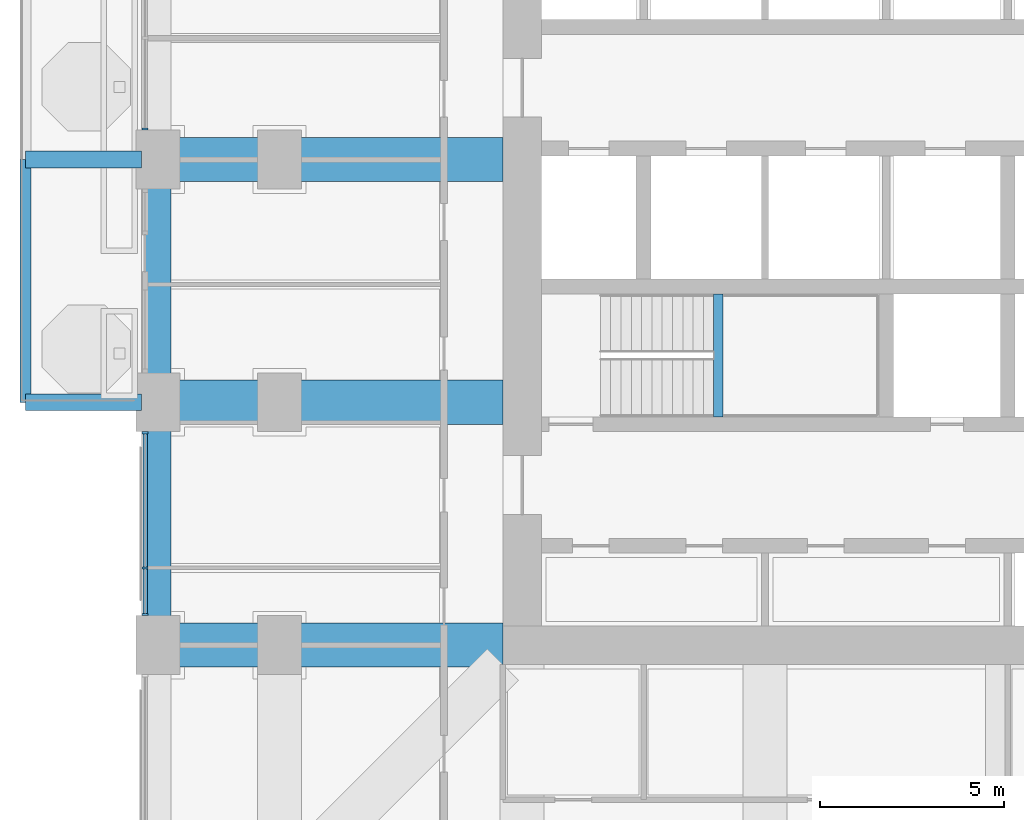
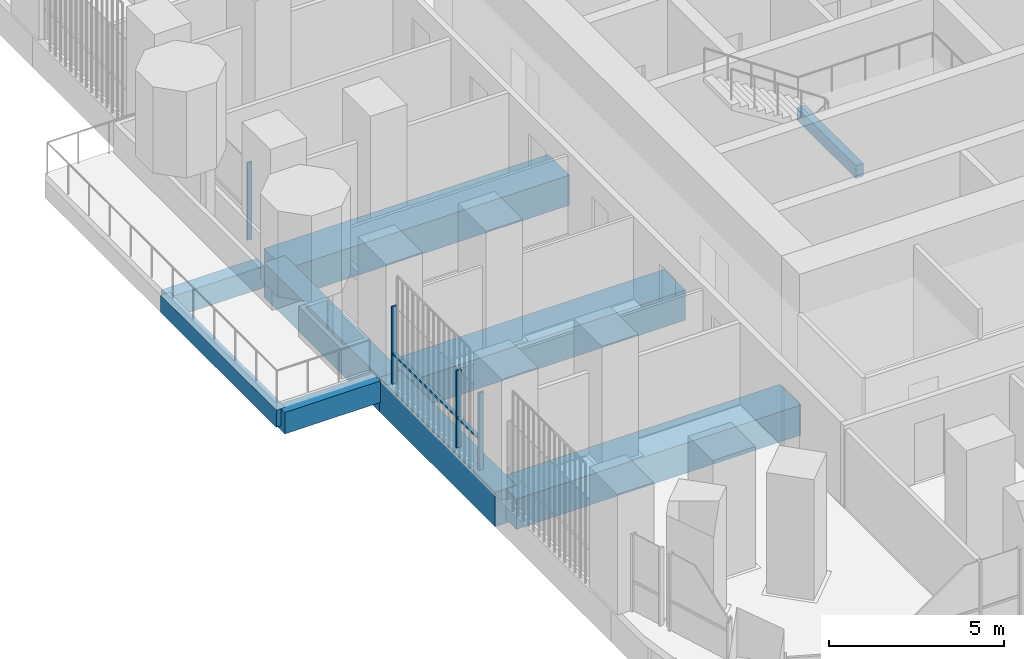
# One storey, part 4 of 21: 9 beams, 6 members, 2 elements without a shape of their own.
"""IFC4 building model written with IfcOpenShell, lengths in metres."""

from ifc_helpers import new_model, si_unit, direction, frame, origin, origin_2d, place, context, subcontext, project, spatial, rectangle, extrude, material, material_profile, profile_set, type_object, element, aggregate, save


model = new_model("IFC4")

# Units and contexts
model_context = context("Model", 3, precision=1e-05, world=origin(), true_north=direction((0.0, 1.0)))
body_context = subcontext(model_context, "Body", "Model", "MODEL_VIEW")
ifc_project = project(units=[si_unit("LENGTHUNIT", "METRE"), si_unit("AREAUNIT", "SQUARE_METRE"), si_unit("VOLUMEUNIT", "CUBIC_METRE"), si_unit("PLANEANGLEUNIT", "RADIAN"), si_unit("MASSUNIT", "GRAM", prefix="KILO")], contexts=[model_context])

# Site, building, storey
site_placement = place(None, origin())
site = spatial("IfcSite", under=ifc_project, at=site_placement, CompositionType="ELEMENT")
building_placement = place(site_placement, origin())
building = spatial("IfcBuilding", under=site, at=building_placement, Name="Cobogo Forest Laboratory Tower", CompositionType="ELEMENT")
storey_placement = place(building_placement, frame((0.0, 0.0, 86.39990234375)))
storey = spatial("IfcBuildingStorey", under=building, at=storey_placement, Name="L19", CompositionType="ELEMENT", Elevation=86.39990234375)

# Beams
ifc_material_1 = material(Name="Concrete HA-40 (C40/50)", Category="concrete")
ifc_material_profile_1 = material_profile(ifc_material_1, rectangle(XDim=0.449951171875, YDim=0.75, at=origin_2d()), Name="RC 450x750")
ifc_profile_set_1 = profile_set([ifc_material_profile_1], Name="Concrete HA-40 (C40/50)")
beam_type_1 = type_object("IfcBeamType", Name="Balcony cantilever beam 450x750", PredefinedType="BEAM", material=ifc_profile_set_1)
for number, where, z_axis, x_axis, name in (
    (1, (2.85009765625, 19.800048828125, -0.625), (-1.0, 0.0, 0.0), (0.0, -1.0, 0.0), "CB1 BAL-W1-C1 L19"),
    (2, (2.85009765625, 26.39990234375, -0.625), (-1.0, 0.0, 0.0), (0.0, -1.0, 0.0), "CB1 BAL-W1-C2 L19"),
):
    element("IfcBeam", number, at=place(storey_placement, frame(where, z_axis=z_axis, x_axis=x_axis)), inside=storey, type_object=beam_type_1, Name=name, PredefinedType="BEAM", context=body_context, shape_type="SweptSolid", body=[
        extrude(rectangle(XDim=0.449951171875, YDim=0.75, at=origin_2d()), origin(), (0.0, 0.0, 1.0), 3.150146484375),
    ])
ifc_material_profile_2 = material_profile(ifc_material_1, rectangle(XDim=0.300048828125, YDim=0.60009765625, at=origin_2d()), Name="RC 300x600")
ifc_profile_set_2 = profile_set([ifc_material_profile_2], Name="Concrete HA-40 (C40/50)")
beam_type_2 = type_object("IfcBeamType", Name="Balcony edge beam 300x600", PredefinedType="BEAM", material=ifc_profile_set_2)
beam_1_placement = place(storey_placement, frame((-0.300048828125, 19.800048828125, -0.5498046875), z_axis=(0.0, 1.0, 0.0), x_axis=(-1.0, 0.0, 0.0)))
element("IfcBeam", 3, at=beam_1_placement, inside=storey, type_object=beam_type_2, Name="BB1 BAL-W1-T1 L19", PredefinedType="BEAM", context=body_context, shape_type="SweptSolid", body=[
    extrude(rectangle(XDim=0.300048828125, YDim=0.60009765625, at=origin_2d()), origin(), (0.0, 0.0, 1.0), 6.599853515625),
])
ifc_material_profile_3 = material_profile(ifc_material_1, rectangle(XDim=0.25, YDim=0.449951171875, at=origin_2d()), Name="RC 250x450")
ifc_profile_set_3 = profile_set([ifc_material_profile_3], Name="Concrete HA-40 (C40/50)")
beam_type_3 = type_object("IfcBeamType", Name="LB1 landing beam 250x450", PredefinedType="BEAM", material=ifc_profile_set_3)
beam_2_placement = place(storey_placement, frame((18.530029296875, 19.39990234375, 1.675048828125), z_axis=(0.0, 1.0, 0.0), x_axis=(-1.0, 0.0, 0.0)))
element("IfcBeam", 4, at=beam_2_placement, inside=storey, type_object=beam_type_3, Name="Landing beam ST1 L19", PredefinedType="BEAM", context=body_context, shape_type="SweptSolid", body=[
    extrude(rectangle(XDim=0.25, YDim=0.449951171875, at=origin_2d()), origin(), (0.0, 0.0, 1.0), 3.35009765625),
])
ifc_material_profile_4 = material_profile(ifc_material_1, rectangle(XDim=1.199951171875, YDim=1.050048828125, at=origin_2d()), Name="RC 1200x1050")
ifc_profile_set_4 = profile_set([ifc_material_profile_4], Name="Concrete HA-40 (C40/50)")
beam_type_4 = type_object("IfcBeamType", Name="Laboratory floor wide beam 1200x1050", PredefinedType="BEAM", material=ifc_profile_set_4)
for number, where, z_axis, x_axis, name in (
    (5, (12.675048828125, 13.199951171875, -0.824951171875), (-1.0, 0.0, 0.0), (0.0, -1.0, 0.0), "RB1 R-C-W L19"),
    (6, (12.675048828125, 19.800048828125, -0.824951171875), (-1.0, 0.0, 0.0), (0.0, -1.0, 0.0), "RB1 R-D-W L19"),
    (7, (12.675048828125, 26.39990234375, -0.824951171875), (-1.0, 0.0, 0.0), (0.0, -1.0, 0.0), "RB1 R-E-W L19"),
):
    element("IfcBeam", number, at=place(storey_placement, frame(where, z_axis=z_axis, x_axis=x_axis)), inside=storey, type_object=beam_type_4, Name=name, PredefinedType="BEAM", context=body_context, shape_type="SweptSolid", body=[
        extrude(rectangle(XDim=1.199951171875, YDim=1.050048828125, at=origin_2d()), origin(), (0.0, 0.0, 1.0), 9.375),
    ])

# Curtain wall, member
ifc_material_2 = material(Name="Aluminium curtain wall", Category="aluminium")
curtain_wall_type = type_object("IfcCurtainWallType", Name="CW-1 unitised curtain wall, clear glazing, laboratory floors zones A and B", PredefinedType="USERDEFINED", material=ifc_material_2)
curtain_wall_1_placement = place(storey_placement, origin())
curtain_wall_1 = element("IfcCurtainWall", 8, at=curtain_wall_1_placement, inside=storey, type_object=curtain_wall_type, Name="Curtain wall 28 L19", ObjectType="UNITISED CURTAIN WALL", PredefinedType="USERDEFINED")
ifc_material_3 = material(Name="Aluminium mullion", Category="aluminium")
ifc_material_profile_5 = material_profile(ifc_material_3, rectangle(XDim=0.06005859375, YDim=0.159912109375, at=origin_2d()), Name="AL 60x160")
ifc_profile_set_5 = profile_set([ifc_material_profile_5], Name="Aluminium mullion")
member_type_1 = type_object("IfcMemberType", Name="MU-1 aluminium mullion 60x160", PredefinedType="MULLION", material=ifc_profile_set_5)
member_1_placement = place(storey_placement, frame((2.949951171875, 27.22998046875, 0.0), z_axis=(0.0, 0.0, 1.0), x_axis=(0.0, -1.0, 0.0)))
member_1 = element("IfcMember", 9, at=member_1_placement, type_object=member_type_1, Name="CW-1 mullion 3", PredefinedType="MULLION", context=body_context, shape_type="SweptSolid", body=[
    extrude(rectangle(XDim=0.06005859375, YDim=0.159912109375, at=origin_2d()), origin(), (0.0, 0.0, 1.0), 2.7001953125),
])
aggregate(curtain_wall_1, [member_1])

# Curtain wall, members
curtain_wall_2_placement = place(storey_placement, origin())
curtain_wall_2 = element("IfcCurtainWall", 10, at=curtain_wall_2_placement, inside=storey, type_object=curtain_wall_type, Name="Curtain wall 30 L19", ObjectType="UNITISED CURTAIN WALL", PredefinedType="USERDEFINED")
member_2_placement = place(storey_placement, frame((2.949951171875, 18.969970703125, 0.0), z_axis=(0.0, 0.0, 1.0), x_axis=(0.0, -1.0, 0.0)))
member_2 = element("IfcMember", 11, at=member_2_placement, type_object=member_type_1, Name="CW-1 mullion 1", PredefinedType="MULLION", context=body_context, shape_type="SweptSolid", body=[
    extrude(rectangle(XDim=0.06005859375, YDim=0.159912109375, at=origin_2d()), origin(), (0.0, 0.0, 1.0), 2.7001953125),
])
member_3_placement = place(storey_placement, frame((2.949951171875, 15.300048828125, 0.0), z_axis=(0.0, 0.0, 1.0), x_axis=(0.0, -1.0, 0.0)))
member_3 = element("IfcMember", 12, at=member_3_placement, type_object=member_type_1, Name="CW-1 mullion 2", PredefinedType="MULLION", context=body_context, shape_type="SweptSolid", body=[
    extrude(rectangle(XDim=0.06005859375, YDim=0.159912109375, at=origin_2d()), origin(), (0.0, 0.0, 1.0), 2.7001953125),
])
member_4_placement = place(storey_placement, frame((2.949951171875, 14.030029296875, 0.0), z_axis=(0.0, 0.0, 1.0), x_axis=(0.0, -1.0, 0.0)))
member_4 = element("IfcMember", 13, at=member_4_placement, type_object=member_type_1, Name="CW-1 mullion 3", PredefinedType="MULLION", context=body_context, shape_type="SweptSolid", body=[
    extrude(rectangle(XDim=0.06005859375, YDim=0.159912109375, at=origin_2d()), origin(), (0.0, 0.0, 1.0), 2.7001953125),
])

# Beams
ifc_material_profile_6 = material_profile(ifc_material_1, rectangle(XDim=0.699951171875, YDim=1.199951171875, at=origin_2d()), Name="RC 700x1200")
ifc_profile_set_6 = profile_set([ifc_material_profile_6], Name="Concrete HA-40 (C40/50)")
beam_type_5 = type_object("IfcBeamType", Name="Perimeter edge beam 700x1200", PredefinedType="BEAM", material=ifc_profile_set_6)
beam_3_placement = place(storey_placement, frame((3.300048828125, 13.199951171875, -0.89990234375), z_axis=(0.0, 1.0, 0.0), x_axis=(-1.0, 0.0, 0.0)))
element("IfcBeam", 14, at=beam_3_placement, inside=storey, type_object=beam_type_5, Name="EB1 E-W2 L19", PredefinedType="BEAM", context=body_context, shape_type="SweptSolid", body=[
    extrude(rectangle(XDim=0.699951171875, YDim=1.199951171875, at=origin_2d()), origin(), (0.0, 0.0, 1.0), 6.60009765625),
])
beam_4_placement = place(storey_placement, frame((3.300048828125, 19.800048828125, -0.89990234375), z_axis=(0.0, 1.0, 0.0), x_axis=(-1.0, 0.0, 0.0)))
element("IfcBeam", 15, at=beam_4_placement, inside=storey, type_object=beam_type_5, Name="EB1 E-W3 L19", PredefinedType="BEAM", context=body_context, shape_type="SweptSolid", body=[
    extrude(rectangle(XDim=0.699951171875, YDim=1.199951171875, at=origin_2d()), origin(), (0.0, 0.0, 1.0), 6.599853515625),
])

# Member
ifc_material_4 = material(Name="Aluminium transom", Category="aluminium")
ifc_material_profile_7 = material_profile(ifc_material_4, rectangle(XDim=0.1201171875, YDim=0.06005859375, at=origin_2d()), Name="AL 60x120")
ifc_profile_set_7 = profile_set([ifc_material_profile_7], Name="Aluminium transom")
member_type_2 = type_object("IfcMemberType", Name="TR-1 aluminium transom 60x120", PredefinedType="USERDEFINED", material=ifc_profile_set_7)
member_5_placement = place(storey_placement, frame((2.949951171875, 18.93994140625, 1.050048828125), z_axis=(0.0, -1.0, 0.0), x_axis=(1.0, 0.0, 0.0)))
member_5 = element("IfcMember", 16, at=member_5_placement, type_object=member_type_2, Name="CW-1 transom 1.1", ObjectType="TRANSOM", PredefinedType="USERDEFINED", context=body_context, shape_type="SweptSolid", body=[
    extrude(rectangle(XDim=0.1201171875, YDim=0.06005859375, at=origin_2d()), origin(), (0.0, 0.0, 1.0), 3.60986328125),
])

member_6_placement = place(storey_placement, frame((2.949951171875, 15.27001953125, 1.050048828125), z_axis=(0.0, -1.0, 0.0), x_axis=(1.0, 0.0, 0.0)))
member_6 = element("IfcMember", 17, at=member_6_placement, type_object=member_type_2, Name="CW-1 transom 2.1", ObjectType="TRANSOM", PredefinedType="USERDEFINED", context=body_context, shape_type="SweptSolid", body=[
    extrude(rectangle(XDim=0.1201171875, YDim=0.06005859375, at=origin_2d()), origin(), (0.0, 0.0, 1.0), 1.2099609375),
])

aggregate(curtain_wall_2, [member_2, member_3, member_4, member_5, member_6])

save(model, "model.ifc")
